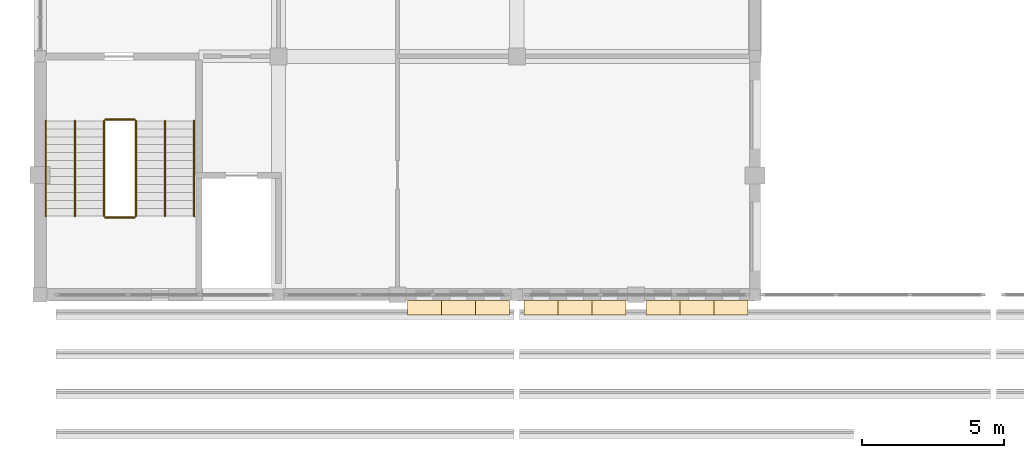
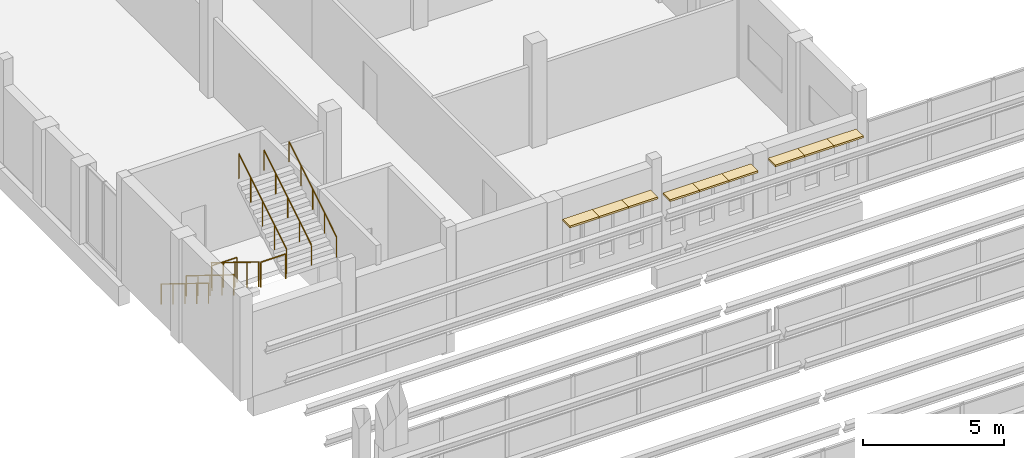
# One storey, part 109 of 116: 9 coverings, 8 railings.
"""IFC4 building model written with IfcOpenShell, lengths in metres."""

from ifc_helpers import new_model, si_unit, direction, frame, origin, origin_2d, place, context, subcontext, project, spatial, rectangle, circle, extrude, material, layer, layer_set, type_object, element, save


model = new_model("IFC4")

# Units and contexts
model_context = context("Model", 3, precision=1e-05, world=origin(), true_north=direction((0.0, 1.0)))
body_context = subcontext(model_context, "Body", "Model", "MODEL_VIEW")
ifc_project = project(units=[si_unit("LENGTHUNIT", "METRE"), si_unit("AREAUNIT", "SQUARE_METRE"), si_unit("VOLUMEUNIT", "CUBIC_METRE"), si_unit("PLANEANGLEUNIT", "RADIAN"), si_unit("MASSUNIT", "GRAM", prefix="KILO")], contexts=[model_context])

# Site, building, storey
site_placement = place(None, origin())
site = spatial("IfcSite", under=ifc_project, at=site_placement, CompositionType="ELEMENT")
building_placement = place(site_placement, origin())
building = spatial("IfcBuilding", under=site, at=building_placement, Name="Fescue Hill Polytechnic", CompositionType="ELEMENT")
storey_placement = place(building_placement, frame((0.0, 0.0, 13.5)))
storey = spatial("IfcBuildingStorey", under=building, at=storey_placement, Name="L03", CompositionType="ELEMENT", Elevation=13.5)

# Coverings
ifc_material_1 = material(Name="Precast concrete C40/50", Category="concrete")
ifc_layer = layer(ifc_material_1, 0.080078125)
ifc_layer_set = layer_set([ifc_layer], Name="Precast concrete C40/50")
covering_type = type_object("IfcCoveringType", Name="Shade blade precast 500x80", PredefinedType="CLADDING", material=ifc_layer_set)
for number, where, z_axis, x_axis, name in (
    (1, (13.550048828125, 49.93994140625, 3.14990234375), (0.0, 0.0, 1.0), (1.0, 0.0, 0.0), "SB-L03-V4-6"),
    (2, (14.75, 49.93994140625, 3.14990234375), (0.0, 0.0, 1.0), (1.0, 0.0, 0.0), "SB-L03-V4-7"),
    (3, (15.949951171875, 49.93994140625, 3.14990234375), (0.0, 0.0, 1.0), (1.0, 0.0, 0.0), "SB-L03-V4-8"),
    (4, (17.64990234375, 49.93994140625, 2.849853515625), (0.0, 0.0, 1.0), (1.0, 0.0, 0.0), "SB-L03-V4-9"),
    (5, (18.85009765625, 49.93994140625, 2.849853515625), (0.0, 0.0, 1.0), (1.0, 0.0, 0.0), "SB-L03-V4-10"),
    (6, (20.050048828125, 49.93994140625, 2.849853515625), (0.0, 0.0, 1.0), (1.0, 0.0, 0.0), "SB-L03-V4-11"),
    (7, (21.949951171875, 49.93994140625, 2.849853515625), (0.0, 0.0, 1.0), (1.0, 0.0, 0.0), "SB-L03-V4-12"),
    (8, (23.14990234375, 49.93994140625, 2.849853515625), (0.0, 0.0, 1.0), (1.0, 0.0, 0.0), "SB-L03-V4-13"),
    (9, (24.35009765625, 49.93994140625, 2.849853515625), (0.0, 0.0, 1.0), (1.0, 0.0, 0.0), "SB-L03-V4-14"),
):
    element("IfcCovering", number, at=place(storey_placement, frame(where, z_axis=z_axis, x_axis=x_axis)), inside=storey, type_object=covering_type, Name=name, PredefinedType="CLADDING", context=body_context, shape_type="SweptSolid", body=[
        extrude(rectangle(XDim=1.199951171875, YDim=0.5, at=origin_2d()), origin(), (0.0, 0.0, 1.0), 0.080078125),
    ])

# Railings
ifc_material_2 = material(Name="Steel 350W (350 MPa)", Category="steel")
railing_type_1 = type_object("IfcRailingType", Name="Stair guard steel 1100", PredefinedType="GUARDRAIL", material=ifc_material_2)
railing_1_placement = place(storey_placement, frame((2.25, 56.52490234375, 0.173095703125)))
element("IfcRailing", 10, at=railing_1_placement, inside=storey, type_object=railing_type_1, Name="L03 ST-V4-1 stair guard 1", PredefinedType="GUARDRAIL", context=body_context, shape_type="SweptSolid", body=[
    extrude(circle(Radius=0.02392578125, at=origin_2d()), frame((0.0, 0.0, 1.076171875), z_axis=(0.0, -0.850606129759, 0.525803396734), x_axis=(1.0, 0.0, 0.0)), (0.0, 0.0, 1.0), 3.949951171875),
    extrude(circle(Radius=0.02099609375, at=origin_2d()), origin(), (0.0, 0.0, 1.0), 1.052001953125),
    extrude(circle(Radius=0.02099609375, at=origin_2d()), frame((0.0, -0.83984375, 0.519287109375)), (0.0, 0.0, 1.0), 1.052001953125),
    extrude(circle(Radius=0.02099609375, at=origin_2d()), frame((0.0, -1.679931640625, 1.03857421875)), (0.0, 0.0, 1.0), 1.052001953125),
    extrude(circle(Radius=0.02099609375, at=origin_2d()), frame((0.0, -2.52001953125, 1.5576171875)), (0.0, 0.0, 1.0), 1.052001953125),
    extrude(circle(Radius=0.02099609375, at=origin_2d()), frame((0.0, -3.35986328125, 2.076904296875)), (0.0, 0.0, 1.0), 1.052001953125),
])
railing_2_placement = place(storey_placement, frame((2.300048828125, 53.114990234375, 2.25)))
element("IfcRailing", 11, at=railing_2_placement, inside=storey, type_object=railing_type_1, Name="L03 ST-V4-1 stair guard 2", PredefinedType="GUARDRAIL", context=body_context, shape_type="SweptSolid", body=[
    extrude(circle(Radius=0.02392578125, at=origin_2d()), frame((0.0, 0.0, 1.076171875), z_axis=(1.0, 0.0, 0.0), x_axis=(0.0, 1.0, 0.0)), (0.0, 0.0, 1.0), 1.02490234375),
    extrude(circle(Radius=0.02099609375, at=origin_2d()), origin(), (0.0, 0.0, 1.0), 1.052001953125),
    extrude(circle(Radius=0.02099609375, at=origin_2d()), frame((1.02490234375, 0.0, 0.0)), (0.0, 0.0, 1.0), 1.052001953125),
])
railing_3_placement = place(storey_placement, frame((3.375, 53.1650390625, 2.423095703125)))
element("IfcRailing", 12, at=railing_3_placement, inside=storey, type_object=railing_type_1, Name="L03 ST-V4-1 stair guard 3", PredefinedType="GUARDRAIL", context=body_context, shape_type="SweptSolid", body=[
    extrude(circle(Radius=0.02392578125, at=origin_2d()), frame((0.0, 0.0, 1.076171875), z_axis=(0.0, 0.850606129759, 0.525803396734), x_axis=(-1.0, 0.0, 0.0)), (0.0, 0.0, 1.0), 3.949951171875),
    extrude(circle(Radius=0.02099609375, at=origin_2d()), origin(), (0.0, 0.0, 1.0), 1.052001953125),
    extrude(circle(Radius=0.02099609375, at=origin_2d()), frame((0.0, 0.83984375, 0.519287109375)), (0.0, 0.0, 1.0), 1.052001953125),
    extrude(circle(Radius=0.02099609375, at=origin_2d()), frame((0.0, 1.679931640625, 1.03857421875)), (0.0, 0.0, 1.0), 1.052001953125),
    extrude(circle(Radius=0.02099609375, at=origin_2d()), frame((0.0, 2.52001953125, 1.5576171875)), (0.0, 0.0, 1.0), 1.052001953125),
    extrude(circle(Radius=0.02099609375, at=origin_2d()), frame((0.0, 3.35986328125, 2.076904296875)), (0.0, 0.0, 1.0), 1.052001953125),
])
railing_4_placement = place(storey_placement, frame((2.300048828125, 56.574951171875, 0.0)))
element("IfcRailing", 13, at=railing_4_placement, inside=storey, type_object=railing_type_1, Name="L03 ST-V4-1 stair guard 4", PredefinedType="GUARDRAIL", context=body_context, shape_type="SweptSolid", body=[
    extrude(circle(Radius=0.02392578125, at=origin_2d()), frame((0.0, 0.0, 1.076171875), z_axis=(1.0, 0.0, 0.0), x_axis=(0.0, 1.0, 0.0)), (0.0, 0.0, 1.0), 1.02490234375),
    extrude(circle(Radius=0.02099609375, at=origin_2d()), origin(), (0.0, 0.0, 1.0), 1.052001953125),
    extrude(circle(Radius=0.02099609375, at=origin_2d()), frame((1.02490234375, 0.0, 0.0)), (0.0, 0.0, 1.0), 1.052001953125),
])
railing_type_2 = type_object("IfcRailingType", Name="Stair handrail steel 900", PredefinedType="HANDRAIL", material=ifc_material_2)
railing_5_placement = place(storey_placement, frame((0.199951171875, 56.52490234375, 0.173095703125)))
element("IfcRailing", 14, at=railing_5_placement, inside=storey, type_object=railing_type_2, Name="L03 ST-V4-1 stair handrail 1", PredefinedType="HANDRAIL", context=body_context, shape_type="SweptSolid", body=[
    extrude(circle(Radius=0.02392578125, at=origin_2d()), frame((0.0, 0.0, 0.8759765625), z_axis=(0.0, -0.850606129759, 0.525803396734), x_axis=(1.0, 0.0, 0.0)), (0.0, 0.0, 1.0), 3.949951171875),
    extrude(circle(Radius=0.02099609375, at=origin_2d()), origin(), (0.0, 0.0, 1.0), 0.851806640625),
    extrude(circle(Radius=0.02099609375, at=origin_2d()), frame((0.0, -0.83984375, 0.519287109375)), (0.0, 0.0, 1.0), 0.851806640625),
    extrude(circle(Radius=0.02099609375, at=origin_2d()), frame((0.0, -1.679931640625, 1.03857421875)), (0.0, 0.0, 1.0), 0.851806640625),
    extrude(circle(Radius=0.02099609375, at=origin_2d()), frame((0.0, -2.52001953125, 1.5576171875)), (0.0, 0.0, 1.0), 0.851806640625),
    extrude(circle(Radius=0.02099609375, at=origin_2d()), frame((0.0, -3.35986328125, 2.076904296875)), (0.0, 0.0, 1.0), 0.851806640625),
])
railing_6_placement = place(storey_placement, frame((5.425048828125, 53.1650390625, 2.423095703125)))
element("IfcRailing", 15, at=railing_6_placement, inside=storey, type_object=railing_type_2, Name="L03 ST-V4-1 stair handrail 2", PredefinedType="HANDRAIL", context=body_context, shape_type="SweptSolid", body=[
    extrude(circle(Radius=0.02392578125, at=origin_2d()), frame((0.0, 0.0, 0.8759765625), z_axis=(0.0, 0.850606129759, 0.525803396734), x_axis=(-1.0, 0.0, 0.0)), (0.0, 0.0, 1.0), 3.949951171875),
    extrude(circle(Radius=0.02099609375, at=origin_2d()), origin(), (0.0, 0.0, 1.0), 0.851806640625),
    extrude(circle(Radius=0.02099609375, at=origin_2d()), frame((0.0, 0.83984375, 0.519287109375)), (0.0, 0.0, 1.0), 0.851806640625),
    extrude(circle(Radius=0.02099609375, at=origin_2d()), frame((0.0, 1.679931640625, 1.03857421875)), (0.0, 0.0, 1.0), 0.851806640625),
    extrude(circle(Radius=0.02099609375, at=origin_2d()), frame((0.0, 2.52001953125, 1.5576171875)), (0.0, 0.0, 1.0), 0.851806640625),
    extrude(circle(Radius=0.02099609375, at=origin_2d()), frame((0.0, 3.35986328125, 2.076904296875)), (0.0, 0.0, 1.0), 0.851806640625),
])
railing_7_placement = place(storey_placement, frame((1.22509765625, 56.52490234375, 0.173095703125)))
element("IfcRailing", 16, at=railing_7_placement, inside=storey, type_object=railing_type_2, Name="L03 ST-V4-1 stair handrail 3", PredefinedType="HANDRAIL", context=body_context, shape_type="SweptSolid", body=[
    extrude(circle(Radius=0.02392578125, at=origin_2d()), frame((0.0, 0.0, 0.8759765625), z_axis=(0.0, -0.850606129759, 0.525803396734), x_axis=(1.0, 0.0, 0.0)), (0.0, 0.0, 1.0), 3.949951171875),
    extrude(circle(Radius=0.02099609375, at=origin_2d()), origin(), (0.0, 0.0, 1.0), 0.851806640625),
    extrude(circle(Radius=0.02099609375, at=origin_2d()), frame((0.0, -0.83984375, 0.519287109375)), (0.0, 0.0, 1.0), 0.851806640625),
    extrude(circle(Radius=0.02099609375, at=origin_2d()), frame((0.0, -1.679931640625, 1.03857421875)), (0.0, 0.0, 1.0), 0.851806640625),
    extrude(circle(Radius=0.02099609375, at=origin_2d()), frame((0.0, -2.52001953125, 1.5576171875)), (0.0, 0.0, 1.0), 0.851806640625),
    extrude(circle(Radius=0.02099609375, at=origin_2d()), frame((0.0, -3.35986328125, 2.076904296875)), (0.0, 0.0, 1.0), 0.851806640625),
])
railing_8_placement = place(storey_placement, frame((4.39990234375, 53.1650390625, 2.423095703125)))
element("IfcRailing", 17, at=railing_8_placement, inside=storey, type_object=railing_type_2, Name="L03 ST-V4-1 stair handrail 4", PredefinedType="HANDRAIL", context=body_context, shape_type="SweptSolid", body=[
    extrude(circle(Radius=0.02392578125, at=origin_2d()), frame((0.0, 0.0, 0.8759765625), z_axis=(0.0, 0.850606129759, 0.525803396734), x_axis=(-1.0, 0.0, 0.0)), (0.0, 0.0, 1.0), 3.949951171875),
    extrude(circle(Radius=0.02099609375, at=origin_2d()), origin(), (0.0, 0.0, 1.0), 0.851806640625),
    extrude(circle(Radius=0.02099609375, at=origin_2d()), frame((0.0, 0.83984375, 0.519287109375)), (0.0, 0.0, 1.0), 0.851806640625),
    extrude(circle(Radius=0.02099609375, at=origin_2d()), frame((0.0, 1.679931640625, 1.03857421875)), (0.0, 0.0, 1.0), 0.851806640625),
    extrude(circle(Radius=0.02099609375, at=origin_2d()), frame((0.0, 2.52001953125, 1.5576171875)), (0.0, 0.0, 1.0), 0.851806640625),
    extrude(circle(Radius=0.02099609375, at=origin_2d()), frame((0.0, 3.35986328125, 2.076904296875)), (0.0, 0.0, 1.0), 0.851806640625),
])

save(model, "model.ifc")
